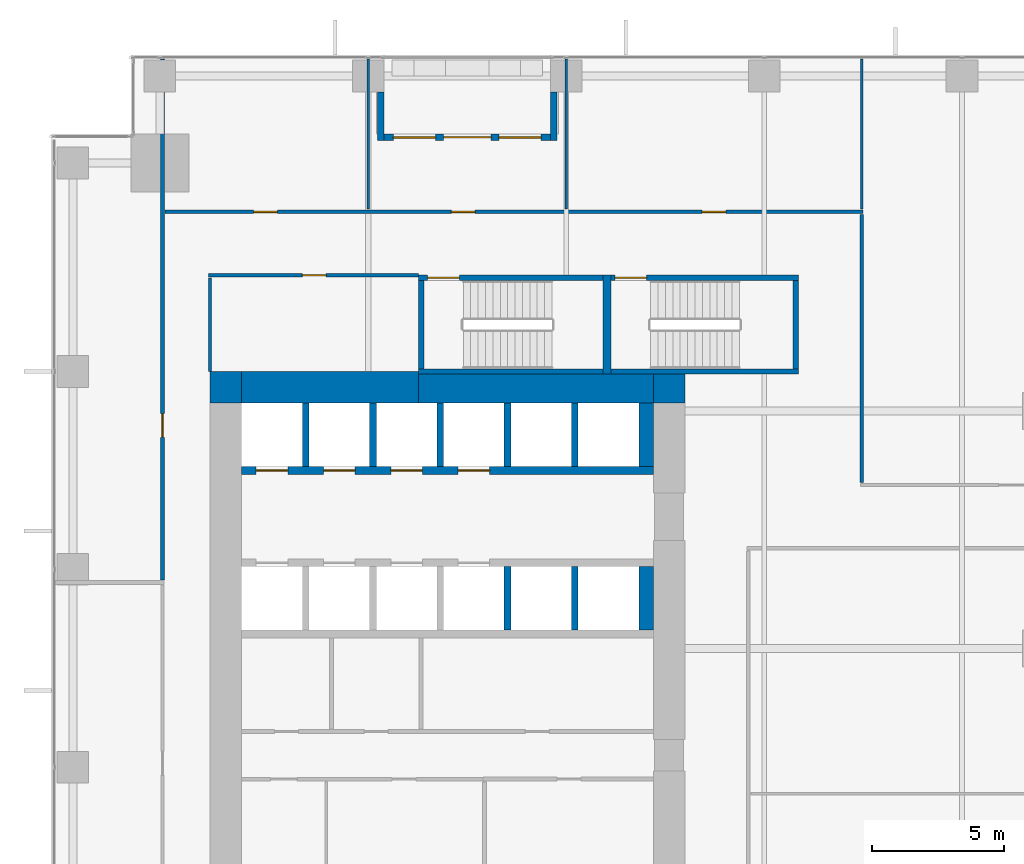
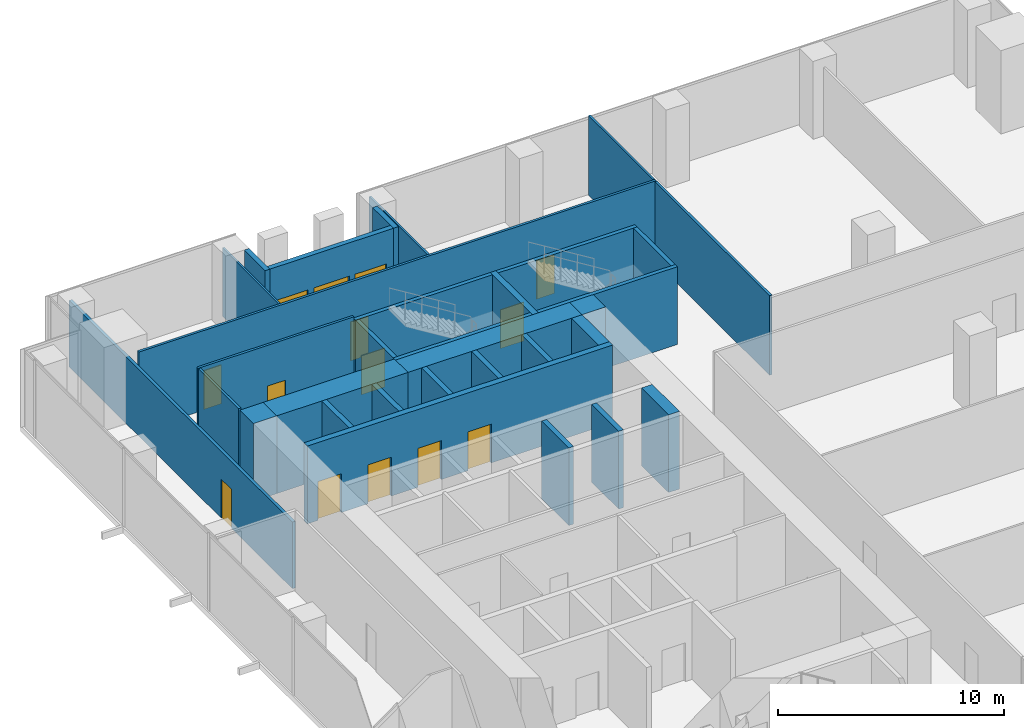
# One storey, part 28 of 32: 32 walls, 12 doors, 2 windows, 14 openings.
"""IFC4 building model written with IfcOpenShell, lengths in metres."""

import ifcopenshell
import ifcopenshell.guid

model = None  # the IFC model being written
_history = None  # IfcOwnerHistory: only IFC2X3 demands one
_inside = {}  # id of a spatial element -> (the spatial element, [elements in it])
_under = {}  # id of a project, library or spatial element -> (it, [spatial elements below it])
_declared = {}  # id of a project -> (the project, [libraries it declares])
_typed = {}  # id of a type object -> (the type object, [elements of that type])
_made_of = {}  # id of a material, layer set ... -> (it, [elements and type objects made of it])


def new_model(schema):
    """Start an empty IFC model of exactly this schema.

    Asked for "IFC4X3", IfcOpenShell would pick the latest addendum, in which some entities
    have other attributes; the version numbers below select the first issue.
    IFC2X3 requires an IfcOwnerHistory on every rooted entity: one is made here for all.
    """
    global model, _history
    if schema == "IFC4X3":
        model = ifcopenshell.file(schema_version=(4, 3, 0, 0))
    else:
        model = ifcopenshell.file(schema=schema)
    _inside.clear()
    _under.clear()
    _declared.clear()
    _typed.clear()
    _made_of.clear()
    _history = None
    if model.schema == "IFC2X3":
        org = make("IfcOrganization", Name="unknown")
        user = make(
            "IfcPersonAndOrganization",
            ThePerson=make("IfcPerson", FamilyName="unknown"),
            TheOrganization=org,
        )
        app = make(
            "IfcApplication",
            ApplicationDeveloper=org,
            Version="unknown",
            ApplicationFullName="unknown",
            ApplicationIdentifier="unknown",
        )
        _history = make(
            "IfcOwnerHistory",
            OwningUser=user,
            OwningApplication=app,
            ChangeAction="ADDED",
            CreationDate=0,
        )
    return model


def make(cls, **values):
    """One entity of the class cls with the attributes given. An attribute that is None is left unset."""
    return model.create_entity(
        cls, **{name: value for name, value in values.items() if value is not None}
    )


def rooted(cls, **values):
    """An entity with a GlobalId (a new one), such as an element, a storey or a relation."""
    return make(cls, GlobalId=ifcopenshell.guid.new(), OwnerHistory=_history, **values)


def si_unit(unit_type, name, prefix=None):
    """IfcSIUnit, for example si_unit("LENGTHUNIT", "METRE", prefix="MILLI")."""
    return make("IfcSIUnit", UnitType=unit_type, Prefix=prefix, Name=name)


def assignment(units):
    """IfcUnitAssignment: the units of a project."""
    return None if units is None else make("IfcUnitAssignment", Units=units)


def point(xyz):
    """IfcCartesianPoint."""
    return None if xyz is None else make("IfcCartesianPoint", Coordinates=xyz)


def direction(xyz):
    """IfcDirection."""
    return None if xyz is None else make("IfcDirection", DirectionRatios=xyz)


def frame(location, z_axis=None, x_axis=None):
    """IfcAxis2Placement3D, a coordinate frame: its origin and axes. An axis left out is left unset."""
    return make(
        "IfcAxis2Placement3D",
        Location=point(location),
        Axis=direction(z_axis),
        RefDirection=direction(x_axis),
    )


def frame_2d(location, x_axis=None):
    """IfcAxis2Placement2D, a coordinate frame in the plane: its origin and x axis."""
    return make(
        "IfcAxis2Placement2D", Location=point(location), RefDirection=direction(x_axis)
    )


def origin():
    """The frame at (0, 0, 0) with its axes left unset."""
    return frame((0.0, 0.0, 0.0))


def place(relative_to, where):
    """IfcLocalPlacement: puts the frame where relative to a parent placement (None: the world)."""
    return make(
        "IfcLocalPlacement", PlacementRelTo=relative_to, RelativePlacement=where
    )


def context(
    kind, dimensions, precision=None, world=None, true_north=None, identifier=None
):
    """IfcGeometricRepresentationContext, for example the 3D "Model" context."""
    return make(
        "IfcGeometricRepresentationContext",
        ContextIdentifier=identifier,
        ContextType=kind,
        CoordinateSpaceDimension=dimensions,
        Precision=precision,
        WorldCoordinateSystem=world,
        TrueNorth=true_north,
    )


def subcontext(parent, identifier, kind, view, scale=None):
    """IfcGeometricRepresentationSubContext, for example "Body" below "Model"."""
    return make(
        "IfcGeometricRepresentationSubContext",
        ContextIdentifier=identifier,
        ContextType=kind,
        ParentContext=parent,
        TargetScale=scale,
        TargetView=view,
    )


def project(units=None, contexts=None):
    """IfcProject with its units and contexts."""
    return rooted(
        "IfcProject",
        Name="project",
        RepresentationContexts=contexts,
        UnitsInContext=assignment(units),
    )


def spatial(cls, under=None, at=None, **own):
    """A site, building, storey or space (cls), placed at a placement, below another one or the project."""
    s = rooted(cls, ObjectPlacement=at, **own)
    if under is not None:
        _under.setdefault(under.id(), (under, []))[1].append(s)
    return s


def profile(cls, at=None, kind="AREA", **sizes):
    """A parametric profile (cls). Its sizes go by their IFC names, for example OverallWidth=200.0."""
    return make(cls, ProfileType=kind, Position=at, **sizes)


def rectangle(**sizes):
    """IfcRectangleProfileDef."""
    return profile("IfcRectangleProfileDef", **sizes)


def extrude(swept, where, along, depth):
    """IfcExtrudedAreaSolid: the profile swept, set in the frame where, extruded along a direction by depth."""
    return make(
        "IfcExtrudedAreaSolid",
        SweptArea=swept,
        Position=where,
        ExtrudedDirection=direction(along),
        Depth=depth,
    )


def shape(context_of_items, identifier, shape_type, items):
    """IfcShapeRepresentation: the items that make up one representation, for example the "Body"."""
    return make(
        "IfcShapeRepresentation",
        ContextOfItems=context_of_items,
        RepresentationIdentifier=identifier,
        RepresentationType=shape_type,
        Items=items,
    )


def source(mapping_origin, context_of_items, identifier, shape_type, items):
    """IfcRepresentationMap: a shape defined once, which mapped items show again and again."""
    return make(
        "IfcRepresentationMap",
        MappingOrigin=mapping_origin,
        MappedRepresentation=shape(context_of_items, identifier, shape_type, items),
    )


def transform(
    local_origin,
    x_axis=None,
    y_axis=None,
    z_axis=None,
    scale=None,
    scale2=None,
    scale3=None,
    uniform=True,
):
    """IfcCartesianTransformationOperator3D, or its non-uniform kind. x_axis, y_axis, z_axis: its Axis1, 2, 3."""
    if uniform:
        return make(
            "IfcCartesianTransformationOperator3D",
            Axis1=direction(x_axis),
            Axis2=direction(y_axis),
            LocalOrigin=point(local_origin),
            Scale=scale,
            Axis3=direction(z_axis),
        )
    return make(
        "IfcCartesianTransformationOperator3DnonUniform",
        Axis1=direction(x_axis),
        Axis2=direction(y_axis),
        LocalOrigin=point(local_origin),
        Scale=scale,
        Axis3=direction(z_axis),
        Scale2=scale2,
        Scale3=scale3,
    )


def mapped(mapping_source, mapping_target):
    """IfcMappedItem: shows the shape of a source again, moved by a transform."""
    return make(
        "IfcMappedItem", MappingSource=mapping_source, MappingTarget=mapping_target
    )


def material(Name=None, Category=None):
    """IfcMaterial."""
    return make("IfcMaterial", Name=Name, Category=Category)


def layer(
    of_material, thickness, ventilated=None, Name=None, Category=None, Priority=None
):
    """IfcMaterialLayer: one layer of a wall or slab, of a material (None: an air gap)."""
    return make(
        "IfcMaterialLayer",
        Material=of_material,
        LayerThickness=thickness,
        IsVentilated=ventilated,
        Name=Name,
        Category=Category,
        Priority=Priority,
    )


def layer_set(layers, Name=None):
    """IfcMaterialLayerSet."""
    return make("IfcMaterialLayerSet", MaterialLayers=layers, LayerSetName=Name)


def made_of(thing, what):
    """Note that an element or type object is made of a material, layer set ...; save() writes the relation."""
    if what is not None:
        _made_of.setdefault(what.id(), (what, []))[1].append(thing)
    return thing


def type_object(cls, material=None, **own):
    """A type object (cls), such as IfcWallType, which elements share."""
    return made_of(rooted(cls, **own), material)


def element(
    cls,
    number,
    at=None,
    inside=None,
    cuts=None,
    type_object=None,
    material=None,
    context=None,
    identifier="Body",
    shape_type=None,
    held_by="IfcProductDefinitionShape",
    body=None,
    shapes=None,
    **own,
):
    """One element of the class cls, such as IfcWall. Its Tag is "e" and its number.

    at: its placement. inside: the storey or other place that contains it. cuts: it is an
    opening in that element (IfcRelVoidsElement). A single representation is given by context,
    identifier, shape_type and body (its items); several are given by shapes. held_by: the class
    of the entity that holds the representations. save() writes the other relations.
    """
    e = rooted(cls, Tag="e%d" % number, ObjectPlacement=at, **own)
    if body is not None:
        shapes = [shape(context, identifier, shape_type, body)]
    if shapes is not None:
        e.Representation = make(held_by, Representations=shapes)
    if inside is not None:
        _inside.setdefault(inside.id(), (inside, []))[1].append(e)
    if cuts is not None:
        rooted(
            "IfcRelVoidsElement", RelatingBuildingElement=cuts, RelatedOpeningElement=e
        )
    if type_object is not None:
        _typed.setdefault(type_object.id(), (type_object, []))[1].append(e)
    return made_of(e, material)


def fill(opening, filler):
    """IfcRelFillsElement: the door or window that sits in an opening."""
    return rooted(
        "IfcRelFillsElement",
        RelatingOpeningElement=opening,
        RelatedBuildingElement=filler,
    )


def aggregate(whole, parts):
    """IfcRelAggregates: a whole, such as a stair, and the parts it consists of."""
    return rooted("IfcRelAggregates", RelatingObject=whole, RelatedObjects=parts)


def save(model, path):
    """Write the relations noted so far, then the file.

    IfcRelAggregates (storeys below a building ...), IfcRelContainedInSpatialStructure (elements
    in a storey), IfcRelDefinesByType, IfcRelAssociatesMaterial and IfcRelDeclares: one each for
    every whole, place, type object, material and project.
    """
    for whole, parts in _under.values():
        aggregate(whole, parts)
    for where, things in _inside.values():
        rooted(
            "IfcRelContainedInSpatialStructure",
            RelatedElements=things,
            RelatingStructure=where,
        )
    for kind, things in _typed.values():
        rooted("IfcRelDefinesByType", RelatedObjects=things, RelatingType=kind)
    for what, things in _made_of.values():
        rooted("IfcRelAssociatesMaterial", RelatedObjects=things, RelatingMaterial=what)
    for by, libraries in _declared.values():
        rooted("IfcRelDeclares", RelatingContext=by, RelatedDefinitions=libraries)
    model.write(path)


model = new_model("IFC4")

# Units and contexts
model_context = context("Model", 3, precision=1e-05, world=origin(), true_north=direction((0.0, 1.0)))
body_context = subcontext(model_context, "Body", "Model", "MODEL_VIEW")
ifc_project = project(units=[si_unit("LENGTHUNIT", "METRE"), si_unit("AREAUNIT", "SQUARE_METRE"), si_unit("VOLUMEUNIT", "CUBIC_METRE"), si_unit("PLANEANGLEUNIT", "RADIAN"), si_unit("MASSUNIT", "GRAM", prefix="KILO")], contexts=[model_context])

# Site, building, storey
site_placement = place(None, origin())
site = spatial("IfcSite", under=ifc_project, at=site_placement, CompositionType="ELEMENT")
building_placement = place(site_placement, origin())
building = spatial("IfcBuilding", under=site, at=building_placement, Name="Khomas Fold Tower", CompositionType="ELEMENT")
storey_placement = place(building_placement, frame((0.0, 0.0, 42.0)))
storey = spatial("IfcBuildingStorey", under=building, at=storey_placement, Name="L08", CompositionType="ELEMENT", Elevation=42.0)

# Walls
ifc_material_1 = material(Name="Concrete C70/85", Category="concrete")
ifc_layer_1 = layer(ifc_material_1, 1.199951171875)
ifc_layer_set_1 = layer_set([ifc_layer_1], Name="Concrete C70/85")
wall_type_1 = type_object("IfcWallType", Name="Core wall 1200", PredefinedType="SHEAR", material=ifc_layer_set_1)
shared_shape_1 = source(origin(), body_context, "Body", "SweptSolid", [
    extrude(rectangle(XDim=6.699951171875, YDim=1.199951171875, at=frame_2d((3.35009765625, 0.0))), origin(), (0.0, 0.0, 1.0), 4.199951171875),
])
wall_1_placement = place(storey_placement, frame((7.199951171875, 41.39990234375, 0.0), z_axis=(0.0, 0.0, 1.0), x_axis=(1.0, 0.0, 0.0)))
element("IfcWall", 1, at=wall_1_placement, inside=storey, type_object=wall_type_1, Name="Core wall CW-L-N-B2", PredefinedType="SHEAR", context=body_context, shape_type="MappedRepresentation", body=[
    mapped(shared_shape_1, transform((0.0, 0.0, 0.0))),
])
ifc_material_2 = material(Name="Concrete C70/85", Category="concrete")
ifc_layer_2 = layer(ifc_material_2, 1.10009765625)
ifc_layer_set_2 = layer_set([ifc_layer_2], Name="Concrete C70/85")
wall_type_2 = type_object("IfcWallType", Name="Core wall 1100", PredefinedType="SHEAR", material=ifc_layer_set_2)
shared_shape_2 = source(origin(), body_context, "Body", "SweptSolid", [
    extrude(rectangle(XDim=8.900146484375, YDim=1.10009765625, at=frame_2d((4.4501953125, 0.0))), origin(), (0.0, 0.0, 1.0), 4.199951171875),
])
wall_2_placement = place(storey_placement, frame((13.89990234375, 41.35009765625, 0.0), z_axis=(0.0, 0.0, 1.0), x_axis=(1.0, 0.0, 0.0)))
element("IfcWall", 2, at=wall_2_placement, inside=storey, type_object=wall_type_2, Name="Core wall CW-L-N-B2-1", PredefinedType="SHEAR", context=body_context, shape_type="MappedRepresentation", body=[
    mapped(shared_shape_2, transform((0.0, 0.0, 0.0))),
])
ifc_material_3 = material(Name="Concrete C70/85", Category="concrete")
ifc_layer_3 = layer(ifc_material_3, 1.10009765625)
ifc_layer_set_3 = layer_set([ifc_layer_3], Name="Concrete C70/85")
wall_type_3 = type_object("IfcWallType", Name="Core corner wall 1100", PredefinedType="SHEAR", material=ifc_layer_set_3)
shared_shape_3 = source(origin(), body_context, "Body", "SweptSolid", [
    extrude(rectangle(XDim=1.199951171875, YDim=1.10009765625, at=frame_2d((0.60009765625, 0.0))), origin(), (0.0, 0.0, 1.0), 4.199951171875),
])
wall_3_placement = place(storey_placement, frame((22.800048828125, 41.35009765625, 0.0), z_axis=(0.0, 0.0, 1.0), x_axis=(1.0, 0.0, 0.0)))
element("IfcWall", 3, at=wall_3_placement, inside=storey, type_object=wall_type_3, Name="Core wall CW-L-NE-B2", PredefinedType="SHEAR", context=body_context, shape_type="MappedRepresentation", body=[
    mapped(shared_shape_3, transform((0.0, 0.0, 0.0))),
])
ifc_material_4 = material(Name="Concrete C70/85", Category="concrete")
ifc_layer_4 = layer(ifc_material_4, 1.199951171875)
ifc_layer_set_4 = layer_set([ifc_layer_4], Name="Concrete C70/85")
wall_type_4 = type_object("IfcWallType", Name="Core corner wall 1200", PredefinedType="SHEAR", material=ifc_layer_set_4)
shared_shape_4 = source(origin(), body_context, "Body", "SweptSolid", [
    extrude(rectangle(XDim=1.199951171875, YDim=1.199951171875, at=frame_2d((0.60009765625, 0.0))), origin(), (0.0, 0.0, 1.0), 4.199951171875),
])
wall_4_placement = place(storey_placement, frame((6.0, 41.39990234375, 0.0), z_axis=(0.0, 0.0, 1.0), x_axis=(1.0, 0.0, 0.0)))
element("IfcWall", 4, at=wall_4_placement, inside=storey, type_object=wall_type_4, Name="Core wall CW-L-NW-B2", PredefinedType="SHEAR", context=body_context, shape_type="MappedRepresentation", body=[
    mapped(shared_shape_4, transform((0.0, 0.0, 0.0))),
])

# Wall, opening, door
ifc_material_5 = material(Name="Concrete C50/60", Category="concrete")
ifc_layer_5 = layer(ifc_material_5, 0.199951171875)
ifc_layer_set_5 = layer_set([ifc_layer_5], Name="Concrete C50/60")
wall_type_5 = type_object("IfcWallType", Name="Stair wall 200", PredefinedType="SHEAR", material=ifc_layer_set_5)
shared_shape_5 = source(origin(), body_context, "Body", "SweptSolid", [
    extrude(rectangle(XDim=7.0, YDim=0.199951171875, at=frame_2d((3.5, 0.0))), origin(), (0.0, 0.0, 1.0), 4.199951171875),
])
wall_5_placement = place(storey_placement, frame((13.89990234375, 45.550048828125, 0.0), z_axis=(0.0, 0.0, 1.0), x_axis=(1.0, 0.0, 0.0)))
wall_5 = element("IfcWall", 5, at=wall_5_placement, inside=storey, type_object=wall_type_5, Name="Stair wall SW-ST1-N", PredefinedType="SHEAR", context=body_context, shape_type="MappedRepresentation", body=[
    mapped(shared_shape_5, transform((0.0, 0.0, 0.0))),
])
shared_shape_6 = source(origin(), body_context, "Body", "SweptSolid", [
    extrude(rectangle(XDim=1.199951171875, YDim=2.10009765625, at=frame_2d((0.60009765625, 1.050048828125))), frame((0.0, 0.10986328125, 0.0), z_axis=(0.0, -1.0, 0.0), x_axis=(1.0, 0.0, 0.0)), (0.0, 0.0, 1.0), 0.219970703125),
])
opening_1_placement = place(wall_5_placement, frame((0.35009765625, 0.0, 0.0)))
opening_1 = element("IfcOpeningElement", 6, at=opening_1_placement, cuts=wall_5, Name="Opening SD-ST1", PredefinedType="OPENING", context=body_context, shape_type="MappedRepresentation", body=[
    mapped(shared_shape_6, transform((0.0, 0.0, 0.0))),
])
ifc_material_6 = material(Name="Steel door leaf", Category="steel")
door_type_1 = type_object("IfcDoorType", Name="Stair door 1200x2100 left-hand", OperationType="SINGLE_SWING_LEFT", PredefinedType="DOOR", material=ifc_material_6)
shared_shape_7 = source(origin(), body_context, "Body", "SweptSolid", [
    extrude(rectangle(XDim=1.199951171875, YDim=2.10009765625, at=frame_2d((0.60009765625, 1.050048828125))), frame((0.0, 0.02490234375, 0.0), z_axis=(0.0, -1.0, 0.0), x_axis=(1.0, 0.0, 0.0)), (0.0, 0.0, 1.0), 0.050048828125),
])
door_1_placement = place(opening_1_placement, origin())
door_1 = element("IfcDoor", 7, at=door_1_placement, inside=storey, type_object=door_type_1, Name="Stair door", OperationType="SINGLE_SWING_LEFT", OverallHeight=2.10009765625, OverallWidth=1.199951171875, PredefinedType="DOOR", context=body_context, shape_type="MappedRepresentation", body=[
    mapped(shared_shape_7, transform((0.0, 0.0, 0.0))),
])
fill(opening_1, door_1)

# Wall
wall_6_placement = place(storey_placement, frame((13.89990234375, 42.0, 0.0), z_axis=(0.0, 0.0, 1.0), x_axis=(1.0, 0.0, 0.0)))
element("IfcWall", 8, at=wall_6_placement, inside=storey, type_object=wall_type_5, Name="Stair wall SW-ST1-S", PredefinedType="SHEAR", context=body_context, shape_type="MappedRepresentation", body=[
    mapped(shared_shape_5, transform((0.0, 0.0, 0.0))),
])

# Wall, opening, door
shared_shape_8 = source(origin(), body_context, "Body", "SweptSolid", [
    extrude(rectangle(XDim=7.10009765625, YDim=0.199951171875, at=frame_2d((3.550048828125, 0.0))), origin(), (0.0, 0.0, 1.0), 4.199951171875),
])
wall_7_placement = place(storey_placement, frame((21.199951171875, 45.550048828125, 0.0), z_axis=(0.0, 0.0, 1.0), x_axis=(1.0, 0.0, 0.0)))
wall_7 = element("IfcWall", 9, at=wall_7_placement, inside=storey, type_object=wall_type_5, Name="Stair wall SW-ST3-N", PredefinedType="SHEAR", context=body_context, shape_type="MappedRepresentation", body=[
    mapped(shared_shape_8, transform((0.0, 0.0, 0.0))),
])
opening_2_placement = place(wall_7_placement, frame((0.14990234375, 0.0, 0.0)))
opening_2 = element("IfcOpeningElement", 10, at=opening_2_placement, cuts=wall_7, Name="Opening SD-ST3", PredefinedType="OPENING", context=body_context, shape_type="MappedRepresentation", body=[
    mapped(shared_shape_6, transform((0.0, 0.0, 0.0))),
])
door_2_placement = place(opening_2_placement, origin())
door_2 = element("IfcDoor", 11, at=door_2_placement, inside=storey, type_object=door_type_1, Name="Stair door", OperationType="SINGLE_SWING_LEFT", OverallHeight=2.10009765625, OverallWidth=1.199951171875, PredefinedType="DOOR", context=body_context, shape_type="MappedRepresentation", body=[
    mapped(shared_shape_7, transform((0.0, 0.0, 0.0))),
])
fill(opening_2, door_2)

# Walls
wall_8_placement = place(storey_placement, frame((21.199951171875, 42.0, 0.0), z_axis=(0.0, 0.0, 1.0), x_axis=(1.0, 0.0, 0.0)))
element("IfcWall", 12, at=wall_8_placement, inside=storey, type_object=wall_type_5, Name="Stair wall SW-ST3-S", PredefinedType="SHEAR", context=body_context, shape_type="MappedRepresentation", body=[
    mapped(shared_shape_8, transform((0.0, 0.0, 0.0))),
])
ifc_material_7 = material(Name="Concrete C50/60", Category="concrete")
ifc_layer_6 = layer(ifc_material_7, 0.300048828125)
ifc_layer_set_6 = layer_set([ifc_layer_6], Name="Concrete C50/60")
wall_type_6 = type_object("IfcWallType", Name="Stair wall 300", PredefinedType="SHEAR", material=ifc_layer_set_6)
shared_shape_9 = source(origin(), body_context, "Body", "SweptSolid", [
    extrude(rectangle(XDim=3.75, YDim=0.300048828125, at=frame_2d((1.875, 0.0))), origin(), (0.0, 0.0, 1.0), 4.199951171875),
])
wall_9_placement = place(storey_placement, frame((21.050048828125, 41.89990234375, 0.0), z_axis=(0.0, 0.0, 1.0), x_axis=(0.0, 1.0, 0.0)))
element("IfcWall", 13, at=wall_9_placement, inside=storey, type_object=wall_type_6, Name="Stair wall SW-ST1-E", PredefinedType="SHEAR", context=body_context, shape_type="MappedRepresentation", body=[
    mapped(shared_shape_9, transform((0.0, 0.0, 0.0))),
])
shared_shape_10 = source(origin(), body_context, "Body", "SweptSolid", [
    extrude(rectangle(XDim=3.349853515625, YDim=0.199951171875, at=frame_2d((1.6748046875, 0.0))), origin(), (0.0, 0.0, 1.0), 4.199951171875),
])
for number, where, z_axis, x_axis, name in (
    (14, (14.0, 42.10009765625, 0.0), (0.0, 0.0, 1.0), (0.0, 1.0, 0.0), "Stair wall SW-ST1-W"),
    (15, (28.199951171875, 42.10009765625, 0.0), (0.0, 0.0, 1.0), (0.0, 1.0, 0.0), "Stair wall SW-ST3-E"),
):
    element("IfcWall", number, at=place(storey_placement, frame(where, z_axis=z_axis, x_axis=x_axis)), inside=storey, type_object=wall_type_5, Name=name, PredefinedType="SHEAR", context=body_context, shape_type="MappedRepresentation", body=[
        mapped(shared_shape_10, transform((0.0, 0.0, 0.0))),
    ])

# Wall, openings, doors
ifc_material_8 = material(Name="Concrete C50/60", Category="concrete")
ifc_layer_7 = layer(ifc_material_8, 0.300048828125)
ifc_layer_set_7 = layer_set([ifc_layer_7], Name="Concrete C50/60")
wall_type_7 = type_object("IfcWallType", Name="Shaft wall 300", PredefinedType="STANDARD", material=ifc_layer_set_7)
shared_shape_11 = source(origin(), body_context, "Body", "SweptSolid", [
    extrude(rectangle(XDim=15.60009765625, YDim=0.300048828125, at=frame_2d((7.800048828125, 0.0))), origin(), (0.0, 0.0, 1.0), 4.199951171875),
])
wall_10_placement = place(storey_placement, frame((7.199951171875, 38.25, 0.0), z_axis=(0.0, 0.0, 1.0), x_axis=(1.0, 0.0, 0.0)))
wall_10 = element("IfcWall", 16, at=wall_10_placement, inside=storey, type_object=wall_type_7, Name="Core wall SW-LRN-F", PredefinedType="STANDARD", context=body_context, shape_type="MappedRepresentation", body=[
    mapped(shared_shape_11, transform((0.0, 0.0, 0.0))),
])
shared_shape_12 = source(origin(), body_context, "Body", "SweptSolid", [
    extrude(rectangle(XDim=1.199951171875, YDim=2.10009765625, at=frame_2d((0.60009765625, 1.050048828125))), frame((0.0, 0.159912109375, 0.0), z_axis=(0.0, -1.0, 0.0), x_axis=(1.0, 0.0, 0.0)), (0.0, 0.0, 1.0), 0.320068359375),
])
opening_3_placement = place(wall_10_placement, frame((0.550048828125, 0.0, 0.0)))
opening_3 = element("IfcOpeningElement", 17, at=opening_3_placement, cuts=wall_10, Name="Opening LD-LR5", PredefinedType="OPENING", context=body_context, shape_type="MappedRepresentation", body=[
    mapped(shared_shape_12, transform((0.0, 0.0, 0.0))),
])
opening_4_placement = place(wall_10_placement, frame((3.10009765625, 0.0, 0.0)))
opening_4 = element("IfcOpeningElement", 18, at=opening_4_placement, cuts=wall_10, Name="Opening LD-LR6", PredefinedType="OPENING", context=body_context, shape_type="MappedRepresentation", body=[
    mapped(shared_shape_12, transform((0.0, 0.0, 0.0))),
])
opening_5_placement = place(wall_10_placement, frame((5.64990234375, 0.0, 0.0)))
opening_5 = element("IfcOpeningElement", 19, at=opening_5_placement, cuts=wall_10, Name="Opening LD-LR7", PredefinedType="OPENING", context=body_context, shape_type="MappedRepresentation", body=[
    mapped(shared_shape_12, transform((0.0, 0.0, 0.0))),
])
opening_6_placement = place(wall_10_placement, frame((8.199951171875, 0.0, 0.0)))
opening_6 = element("IfcOpeningElement", 20, at=opening_6_placement, cuts=wall_10, Name="Opening LD-LR8", PredefinedType="OPENING", context=body_context, shape_type="MappedRepresentation", body=[
    mapped(shared_shape_12, transform((0.0, 0.0, 0.0))),
])
ifc_material_9 = material(Name="Steel door leaf", Category="steel")
door_type_2 = type_object("IfcDoorType", Name="Landing door 1200x2100", OperationType="DOUBLE_DOOR_SLIDING", PredefinedType="DOOR", material=ifc_material_9)
door_3_placement = place(opening_3_placement, origin())
door_3 = element("IfcDoor", 21, at=door_3_placement, inside=storey, type_object=door_type_2, Name="Lift landing door", OperationType="DOUBLE_DOOR_SLIDING", OverallHeight=2.10009765625, OverallWidth=1.199951171875, PredefinedType="DOOR", context=body_context, shape_type="MappedRepresentation", body=[
    mapped(shared_shape_7, transform((0.0, 0.0, 0.0))),
])
fill(opening_3, door_3)
door_4_placement = place(opening_4_placement, origin())
door_4 = element("IfcDoor", 22, at=door_4_placement, inside=storey, type_object=door_type_2, Name="Lift landing door", OperationType="DOUBLE_DOOR_SLIDING", OverallHeight=2.10009765625, OverallWidth=1.199951171875, PredefinedType="DOOR", context=body_context, shape_type="MappedRepresentation", body=[
    mapped(shared_shape_7, transform((0.0, 0.0, 0.0))),
])
fill(opening_4, door_4)
door_5_placement = place(opening_5_placement, origin())
door_5 = element("IfcDoor", 23, at=door_5_placement, inside=storey, type_object=door_type_2, Name="Lift landing door", OperationType="DOUBLE_DOOR_SLIDING", OverallHeight=2.10009765625, OverallWidth=1.199951171875, PredefinedType="DOOR", context=body_context, shape_type="MappedRepresentation", body=[
    mapped(shared_shape_7, transform((0.0, 0.0, 0.0))),
])
fill(opening_5, door_5)
door_6_placement = place(opening_6_placement, origin())
door_6 = element("IfcDoor", 24, at=door_6_placement, inside=storey, type_object=door_type_2, Name="Lift landing door", OperationType="DOUBLE_DOOR_SLIDING", OverallHeight=2.10009765625, OverallWidth=1.199951171875, PredefinedType="DOOR", context=body_context, shape_type="MappedRepresentation", body=[
    mapped(shared_shape_7, transform((0.0, 0.0, 0.0))),
])
fill(opening_6, door_6)

# Walls
ifc_material_10 = material(Name="Concrete C50/60", Category="concrete")
ifc_layer_8 = layer(ifc_material_10, 0.25)
ifc_layer_set_8 = layer_set([ifc_layer_8], Name="Concrete C50/60")
wall_type_8 = type_object("IfcWallType", Name="Shaft wall 250", PredefinedType="STANDARD", material=ifc_layer_set_8)
shared_shape_13 = source(origin(), body_context, "Body", "SweptSolid", [
    extrude(rectangle(XDim=2.400146484375, YDim=0.25, at=frame_2d((1.2001953125, 0.0))), origin(), (0.0, 0.0, 1.0), 4.199951171875),
])
for number, where, z_axis, x_axis, name in (
    (25, (9.625, 38.39990234375, 0.0), (0.0, 0.0, 1.0), (0.0, 1.0, 0.0), "Core wall SW-LRN-P1"),
    (26, (12.175048828125, 38.39990234375, 0.0), (0.0, 0.0, 1.0), (0.0, 1.0, 0.0), "Core wall SW-LRN-P2"),
    (27, (14.72509765625, 38.39990234375, 0.0), (0.0, 0.0, 1.0), (0.0, 1.0, 0.0), "Core wall SW-LRN-P3"),
    (28, (17.27490234375, 38.39990234375, 0.0), (0.0, 0.0, 1.0), (0.0, 1.0, 0.0), "Core wall SW-LRN-P4"),
    (29, (19.824951171875, 38.39990234375, 0.0), (0.0, 0.0, 1.0), (0.0, 1.0, 0.0), "Core wall SW-LRN-P5"),
    (30, (17.27490234375, 32.199951171875, 0.0), (0.0, 0.0, 1.0), (0.0, 1.0, 0.0), "Core wall SW-LRS-P4"),
    (31, (19.824951171875, 32.199951171875, 0.0), (0.0, 0.0, 1.0), (0.0, 1.0, 0.0), "Core wall SW-LRS-P5"),
):
    element("IfcWall", number, at=place(storey_placement, frame(where, z_axis=z_axis, x_axis=x_axis)), inside=storey, type_object=wall_type_8, Name=name, PredefinedType="STANDARD", context=body_context, shape_type="MappedRepresentation", body=[
        mapped(shared_shape_13, transform((0.0, 0.0, 0.0))),
    ])
ifc_material_11 = material(Name="Concrete C50/60", Category="concrete")
ifc_layer_9 = layer(ifc_material_11, 0.550048828125)
ifc_layer_set_9 = layer_set([ifc_layer_9], Name="Concrete C50/60")
wall_type_9 = type_object("IfcWallType", Name="Shaft wall 550", PredefinedType="STANDARD", material=ifc_layer_set_9)
shared_shape_14 = source(origin(), body_context, "Body", "SweptSolid", [
    extrude(rectangle(XDim=2.400146484375, YDim=0.550048828125, at=frame_2d((1.2001953125, 0.0))), origin(), (0.0, 0.0, 1.0), 4.199951171875),
])
for number, where, z_axis, x_axis, name in (
    (32, (22.52490234375, 38.39990234375, 0.0), (0.0, 0.0, 1.0), (0.0, 1.0, 0.0), "Core wall SW-LRN-PE"),
    (33, (22.52490234375, 32.199951171875, 0.0), (0.0, 0.0, 1.0), (0.0, 1.0, 0.0), "Core wall SW-LRS-PE"),
):
    element("IfcWall", number, at=place(storey_placement, frame(where, z_axis=z_axis, x_axis=x_axis)), inside=storey, type_object=wall_type_9, Name=name, PredefinedType="STANDARD", context=body_context, shape_type="MappedRepresentation", body=[
        mapped(shared_shape_14, transform((0.0, 0.0, 0.0))),
    ])

# Wall, openings, windows, door
ifc_material_12 = material(Name="Natural stone", Category="masonry")
ifc_layer_10 = layer(ifc_material_12, 0.0400390625)
ifc_material_13 = material(Name="Mineral wool insulation", Category="insulation")
ifc_layer_11 = layer(ifc_material_13, 0.10009765625)
ifc_material_14 = material(Name="Masonry", Category="masonry")
ifc_layer_12 = layer(ifc_material_14, 0.110107421875)
ifc_layer_set_10 = layer_set([ifc_layer_10, ifc_layer_11, ifc_layer_12], Name="Stone-faced insulated masonry")
wall_type_10 = type_object("IfcWallType", Name="BL-Balcony wall", PredefinedType="SOLIDWALL", material=ifc_layer_set_10)
shared_shape_15 = source(origin(), body_context, "Body", "SweptSolid", [
    extrude(rectangle(XDim=6.2998046875, YDim=0.25, at=frame_2d((3.14990234375, 0.0))), origin(), (0.0, 0.0, 1.0), 4.199951171875),
])
wall_11_placement = place(storey_placement, frame((12.60009765625, 50.875, 0.0), z_axis=(0.0, 0.0, 1.0), x_axis=(1.0, 0.0, 0.0)))
wall_11 = element("IfcWall", 34, at=wall_11_placement, inside=storey, type_object=wall_type_10, Name="Balcony wall BAL-L08-N1", PredefinedType="SOLIDWALL", context=body_context, shape_type="MappedRepresentation", body=[
    mapped(shared_shape_15, transform((0.0, 0.0, 0.0))),
])
shared_shape_16 = source(origin(), body_context, "Body", "SweptSolid", [
    extrude(rectangle(XDim=1.60009765625, YDim=2.39990234375, at=frame_2d((0.800048828125, 1.199951171875))), frame((0.0, 0.135009765625, 0.0), z_axis=(0.0, -1.0, 0.0), x_axis=(1.0, 0.0, 0.0)), (0.0, 0.0, 1.0), 0.27001953125),
])
opening_7_placement = place(wall_11_placement, frame((0.35009765625, 0.0, 0.0)))
opening_7 = element("IfcOpeningElement", 35, at=opening_7_placement, cuts=wall_11, Name="Opening BL-W1", PredefinedType="OPENING", context=body_context, shape_type="MappedRepresentation", body=[
    mapped(shared_shape_16, transform((0.0, 0.0, 0.0))),
])
opening_8_placement = place(wall_11_placement, frame((4.35009765625, 0.0, 0.0)))
opening_8 = element("IfcOpeningElement", 36, at=opening_8_placement, cuts=wall_11, Name="Opening BL-W1", PredefinedType="OPENING", context=body_context, shape_type="MappedRepresentation", body=[
    mapped(shared_shape_16, transform((0.0, 0.0, 0.0))),
])
shared_shape_17 = source(origin(), body_context, "Body", "SweptSolid", [
    extrude(rectangle(XDim=1.800048828125, YDim=2.39990234375, at=frame_2d((0.89990234375, 1.199951171875))), frame((0.0, 0.135009765625, 0.0), z_axis=(0.0, -1.0, 0.0), x_axis=(1.0, 0.0, 0.0)), (0.0, 0.0, 1.0), 0.27001953125),
])
opening_9_placement = place(wall_11_placement, frame((2.25, 0.0, 0.0)))
opening_9 = element("IfcOpeningElement", 37, at=opening_9_placement, cuts=wall_11, Name="Opening BD081", PredefinedType="OPENING", context=body_context, shape_type="MappedRepresentation", body=[
    mapped(shared_shape_17, transform((0.0, 0.0, 0.0))),
])
ifc_material_15 = material(Name="Aluminium framed double glazing", Category="aluminium")
window_type = type_object("IfcWindowType", Name="BL-Fixed glazing 1600 x 2400", PartitioningType="SINGLE_PANEL", PredefinedType="WINDOW", material=ifc_material_15)
shared_shape_18 = source(origin(), body_context, "Body", "SweptSolid", [
    extrude(rectangle(XDim=1.60009765625, YDim=2.39990234375, at=frame_2d((0.800048828125, 1.199951171875))), frame((0.0, 0.030029296875, 0.0), z_axis=(0.0, -1.0, 0.0), x_axis=(1.0, 0.0, 0.0)), (0.0, 0.0, 1.0), 0.06005859375),
])
window_1_placement = place(opening_7_placement, origin())
window_1 = element("IfcWindow", 38, at=window_1_placement, inside=storey, type_object=window_type, Name="Balcony glazing BAL-L08-N1-1", OverallHeight=2.39990234375, OverallWidth=1.60009765625, PartitioningType="SINGLE_PANEL", PredefinedType="WINDOW", context=body_context, shape_type="MappedRepresentation", body=[
    mapped(shared_shape_18, transform((0.0, 0.0, 0.0))),
])
fill(opening_7, window_1)
window_2_placement = place(opening_8_placement, origin())
window_2 = element("IfcWindow", 39, at=window_2_placement, inside=storey, type_object=window_type, Name="Balcony glazing BAL-L08-N1-2", OverallHeight=2.39990234375, OverallWidth=1.60009765625, PartitioningType="SINGLE_PANEL", PredefinedType="WINDOW", context=body_context, shape_type="MappedRepresentation", body=[
    mapped(shared_shape_18, transform((0.0, 0.0, 0.0))),
])
fill(opening_8, window_2)
ifc_material_16 = material(Name="Aluminium framed double glazing", Category="aluminium")
door_type_3 = type_object("IfcDoorType", Name="BL-Glazed balcony door 1800 x 2400", OperationType="DOUBLE_DOOR_DOUBLE_SWING", PredefinedType="DOOR", material=ifc_material_16)
shared_shape_19 = source(origin(), body_context, "Body", "SweptSolid", [
    extrude(rectangle(XDim=1.800048828125, YDim=2.39990234375, at=frame_2d((0.89990234375, 1.199951171875))), frame((0.0, 0.02490234375, 0.0), z_axis=(0.0, -1.0, 0.0), x_axis=(1.0, 0.0, 0.0)), (0.0, 0.0, 1.0), 0.050048828125),
])
door_7_placement = place(opening_9_placement, origin())
door_7 = element("IfcDoor", 40, at=door_7_placement, inside=storey, type_object=door_type_3, Name="Balcony door BD081", OperationType="DOUBLE_DOOR_DOUBLE_SWING", OverallHeight=2.39990234375, OverallWidth=1.800048828125, PredefinedType="DOOR", context=body_context, shape_type="MappedRepresentation", body=[
    mapped(shared_shape_19, transform((0.0, 0.0, 0.0))),
])
fill(opening_9, door_7)

# Walls
shared_shape_20 = source(origin(), body_context, "Body", "SweptSolid", [
    extrude(rectangle(XDim=1.85009765625, YDim=0.25, at=frame_2d((0.925048828125, 0.0))), origin(), (0.0, 0.0, 1.0), 4.199951171875),
])
for number, where, z_axis, x_axis, name in (
    (41, (12.47509765625, 52.60009765625, 0.0), (0.0, 0.0, 1.0), (0.0, -1.0, 0.0), "Balcony return wall BAL-L08-N1-lo"),
    (42, (19.02490234375, 52.60009765625, 0.0), (0.0, 0.0, 1.0), (0.0, -1.0, 0.0), "Balcony return wall BAL-L08-N1-hi"),
):
    element("IfcWall", number, at=place(storey_placement, frame(where, z_axis=z_axis, x_axis=x_axis)), inside=storey, type_object=wall_type_10, Name=name, PredefinedType="SOLIDWALL", context=body_context, shape_type="MappedRepresentation", body=[
        mapped(shared_shape_20, transform((0.0, 0.0, 0.0))),
    ])

# Wall, opening, door
ifc_material_17 = material(Name="Plasterboard fire partition")
ifc_layer_13 = layer(ifc_material_17, 0.14990234375)
ifc_layer_set_11 = layer_set([ifc_layer_13], Name="Plasterboard fire partition")
wall_type_11 = type_object("IfcWallType", Name="Plant room wall PW3 150", PredefinedType="PARTITIONING", material=ifc_layer_set_11)
shared_shape_21 = source(origin(), body_context, "Body", "SweptSolid", [
    extrude(rectangle(XDim=19.75, YDim=0.14990234375, at=frame_2d((9.875, 0.0))), origin(), (0.0, 0.0, 1.0), 3.60009765625),
])
wall_12_placement = place(storey_placement, frame((4.199951171875, 34.10009765625, 0.0), z_axis=(0.0, 0.0, 1.0), x_axis=(0.0, 1.0, 0.0)))
wall_12 = element("IfcWall", 43, at=wall_12_placement, inside=storey, type_object=wall_type_11, Name="Plant room wall", PredefinedType="PARTITIONING", context=body_context, shape_type="MappedRepresentation", body=[
    mapped(shared_shape_21, transform((0.0, 0.0, 0.0))),
])
shared_shape_22 = source(origin(), body_context, "Body", "SweptSolid", [
    extrude(rectangle(XDim=0.89990234375, YDim=2.10009765625, at=frame_2d((0.449951171875, 1.050048828125))), frame((0.0, 0.0849609375, 0.0), z_axis=(0.0, -1.0, 0.0), x_axis=(1.0, 0.0, 0.0)), (0.0, 0.0, 1.0), 0.169921875),
])
opening_10_placement = place(wall_12_placement, frame((5.39990234375, 0.0, 0.0)))
opening_10 = element("IfcOpeningElement", 44, at=opening_10_placement, cuts=wall_12, Name="Opening 0002", PredefinedType="OPENING", context=body_context, shape_type="MappedRepresentation", body=[
    mapped(shared_shape_22, transform((0.0, 0.0, 0.0))),
])
ifc_material_18 = material(Name="Steel door leaf", Category="steel")
door_type_4 = type_object("IfcDoorType", Name="Plant room door 900x2100 left-hand", OperationType="SINGLE_SWING_LEFT", PredefinedType="DOOR", material=ifc_material_18)
shared_shape_23 = source(origin(), body_context, "Body", "SweptSolid", [
    extrude(rectangle(XDim=0.89990234375, YDim=2.10009765625, at=frame_2d((0.449951171875, 1.050048828125))), frame((0.0, 0.02490234375, 0.0), z_axis=(0.0, -1.0, 0.0), x_axis=(1.0, 0.0, 0.0)), (0.0, 0.0, 1.0), 0.050048828125),
])
door_8_placement = place(opening_10_placement, origin())
door_8 = element("IfcDoor", 45, at=door_8_placement, inside=storey, type_object=door_type_4, Name="Plant room door", OperationType="SINGLE_SWING_LEFT", OverallHeight=2.10009765625, OverallWidth=0.89990234375, PredefinedType="DOOR", context=body_context, shape_type="MappedRepresentation", body=[
    mapped(shared_shape_23, transform((0.0, 0.0, 0.0))),
])
fill(opening_10, door_8)

# Walls
ifc_material_19 = material(Name="Plasterboard partition")
ifc_layer_14 = layer(ifc_material_19, 0.125)
ifc_layer_set_12 = layer_set([ifc_layer_14], Name="Plasterboard partition")
wall_type_12 = type_object("IfcWallType", Name="Partition PW2 125", PredefinedType="PARTITIONING", material=ifc_layer_set_12)
shared_shape_24 = source(origin(), body_context, "Body", "SweptSolid", [
    extrude(rectangle(XDim=10.14990234375, YDim=0.125, at=frame_2d((5.074951171875, 0.0))), origin(), (0.0, 0.0, 1.0), 4.300048828125),
])
wall_13_placement = place(storey_placement, frame((30.699951171875, 37.800048828125, 0.0), z_axis=(0.0, 0.0, 1.0), x_axis=(0.0, 1.0, 0.0)))
element("IfcWall", 46, at=wall_13_placement, inside=storey, type_object=wall_type_12, Name="Partition", PredefinedType="PARTITIONING", context=body_context, shape_type="MappedRepresentation", body=[
    mapped(shared_shape_24, transform((0.0, 0.0, 0.0))),
])
shared_shape_25 = source(origin(), body_context, "Body", "SweptSolid", [
    extrude(rectangle(XDim=3.550048828125, YDim=0.125, at=frame_2d((1.77490234375, 0.0))), origin(), (0.0, 0.0, 1.0), 4.300048828125),
])
wall_14_placement = place(storey_placement, frame((6.0, 42.0, 0.0), z_axis=(0.0, 0.0, 1.0), x_axis=(0.0, 1.0, 0.0)))
element("IfcWall", 47, at=wall_14_placement, inside=storey, type_object=wall_type_12, Name="Partition", PredefinedType="PARTITIONING", context=body_context, shape_type="MappedRepresentation", body=[
    mapped(shared_shape_25, transform((0.0, 0.0, 0.0))),
])

# Wall, opening, door
shared_shape_26 = source(origin(), body_context, "Body", "SweptSolid", [
    extrude(rectangle(XDim=7.949951171875, YDim=0.125, at=frame_2d((3.97509765625, 0.0))), origin(), (0.0, 0.0, 1.0), 4.300048828125),
])
wall_15_placement = place(storey_placement, frame((5.949951171875, 45.64990234375, 0.0), z_axis=(0.0, 0.0, 1.0), x_axis=(1.0, 0.0, 0.0)))
wall_15 = element("IfcWall", 48, at=wall_15_placement, inside=storey, type_object=wall_type_12, Name="Partition", PredefinedType="PARTITIONING", context=body_context, shape_type="MappedRepresentation", body=[
    mapped(shared_shape_26, transform((0.0, 0.0, 0.0))),
])
shared_shape_27 = source(origin(), body_context, "Body", "SweptSolid", [
    extrude(rectangle(XDim=0.89990234375, YDim=2.10009765625, at=frame_2d((0.449951171875, 1.050048828125))), frame((0.0, 0.072509765625, 0.0), z_axis=(0.0, -1.0, 0.0), x_axis=(1.0, 0.0, 0.0)), (0.0, 0.0, 1.0), 0.14501953125),
])
opening_11_placement = place(wall_15_placement, frame((3.550048828125, 0.0, 0.0)))
opening_11 = element("IfcOpeningElement", 49, at=opening_11_placement, cuts=wall_15, Name="Opening 0008", PredefinedType="OPENING", context=body_context, shape_type="MappedRepresentation", body=[
    mapped(shared_shape_27, transform((0.0, 0.0, 0.0))),
])
ifc_material_20 = material(Name="Timber door leaf", Category="wood")
door_type_5 = type_object("IfcDoorType", Name="Door 900x2100 right-hand", OperationType="SINGLE_SWING_RIGHT", PredefinedType="DOOR", material=ifc_material_20)
door_9_placement = place(opening_11_placement, origin())
door_9 = element("IfcDoor", 50, at=door_9_placement, inside=storey, type_object=door_type_5, Name="Door", OperationType="SINGLE_SWING_RIGHT", OverallHeight=2.10009765625, OverallWidth=0.89990234375, PredefinedType="DOOR", context=body_context, shape_type="MappedRepresentation", body=[
    mapped(shared_shape_23, transform((0.0, 0.0, 0.0))),
])
fill(opening_11, door_9)

# Wall, openings, doors
shared_shape_28 = source(origin(), body_context, "Body", "SweptSolid", [
    extrude(rectangle(XDim=26.449951171875, YDim=0.125, at=frame_2d((13.22509765625, 0.0))), origin(), (0.0, 0.0, 1.0), 4.300048828125),
])
wall_16_placement = place(storey_placement, frame((4.300048828125, 48.050048828125, 0.0), z_axis=(0.0, 0.0, 1.0), x_axis=(1.0, 0.0, 0.0)))
wall_16 = element("IfcWall", 51, at=wall_16_placement, inside=storey, type_object=wall_type_12, Name="Partition", PredefinedType="PARTITIONING", context=body_context, shape_type="MappedRepresentation", body=[
    mapped(shared_shape_28, transform((0.0, 0.0, 0.0))),
])
opening_12_placement = place(wall_16_placement, frame((3.35009765625, 0.0, 0.0)))
opening_12 = element("IfcOpeningElement", 52, at=opening_12_placement, cuts=wall_16, Name="Opening 0008", PredefinedType="OPENING", context=body_context, shape_type="MappedRepresentation", body=[
    mapped(shared_shape_27, transform((0.0, 0.0, 0.0))),
])
opening_13_placement = place(wall_16_placement, frame((10.85009765625, 0.0, 0.0)))
opening_13 = element("IfcOpeningElement", 53, at=opening_13_placement, cuts=wall_16, Name="Opening 0008", PredefinedType="OPENING", context=body_context, shape_type="MappedRepresentation", body=[
    mapped(shared_shape_27, transform((0.0, 0.0, 0.0))),
])
opening_14_placement = place(wall_16_placement, frame((20.35009765625, 0.0, 0.0)))
opening_14 = element("IfcOpeningElement", 54, at=opening_14_placement, cuts=wall_16, Name="Opening 0008", PredefinedType="OPENING", context=body_context, shape_type="MappedRepresentation", body=[
    mapped(shared_shape_27, transform((0.0, 0.0, 0.0))),
])
door_10_placement = place(opening_12_placement, origin())
door_10 = element("IfcDoor", 55, at=door_10_placement, inside=storey, type_object=door_type_5, Name="Door", OperationType="SINGLE_SWING_RIGHT", OverallHeight=2.10009765625, OverallWidth=0.89990234375, PredefinedType="DOOR", context=body_context, shape_type="MappedRepresentation", body=[
    mapped(shared_shape_23, transform((0.0, 0.0, 0.0))),
])
fill(opening_12, door_10)
door_11_placement = place(opening_13_placement, origin())
door_11 = element("IfcDoor", 56, at=door_11_placement, inside=storey, type_object=door_type_5, Name="Door", OperationType="SINGLE_SWING_RIGHT", OverallHeight=2.10009765625, OverallWidth=0.89990234375, PredefinedType="DOOR", context=body_context, shape_type="MappedRepresentation", body=[
    mapped(shared_shape_23, transform((0.0, 0.0, 0.0))),
])
fill(opening_13, door_11)
door_12_placement = place(opening_14_placement, origin())
door_12 = element("IfcDoor", 57, at=door_12_placement, inside=storey, type_object=door_type_5, Name="Door", OperationType="SINGLE_SWING_RIGHT", OverallHeight=2.10009765625, OverallWidth=0.89990234375, PredefinedType="DOOR", context=body_context, shape_type="MappedRepresentation", body=[
    mapped(shared_shape_23, transform((0.0, 0.0, 0.0))),
])
fill(opening_14, door_12)

# Walls
ifc_material_21 = material(Name="Plasterboard partition")
ifc_layer_15 = layer(ifc_material_21, 0.10009765625)
ifc_layer_set_13 = layer_set([ifc_layer_15], Name="Plasterboard partition")
wall_type_13 = type_object("IfcWallType", Name="Partition PW1 100", PredefinedType="PARTITIONING", material=ifc_layer_set_13)
shared_shape_29 = source(origin(), body_context, "Body", "SweptSolid", [
    extrude(rectangle(XDim=5.7001953125, YDim=0.10009765625, at=frame_2d((2.85009765625, 0.0))), origin(), (0.0, 0.0, 1.0), 3.699951171875),
])
wall_17_placement = place(storey_placement, frame((12.0, 48.14990234375, 0.0), z_axis=(0.0, 0.0, 1.0), x_axis=(0.0, 1.0, 0.0)))
element("IfcWall", 58, at=wall_17_placement, inside=storey, type_object=wall_type_13, Name="Partition", PredefinedType="PARTITIONING", context=body_context, shape_type="MappedRepresentation", body=[
    mapped(shared_shape_29, transform((0.0, 0.0, 0.0))),
])
shared_shape_30 = source(origin(), body_context, "Body", "SweptSolid", [
    extrude(rectangle(XDim=5.7001953125, YDim=0.10009765625, at=frame_2d((2.85009765625, 0.0))), origin(), (0.0, 0.0, 1.0), 3.840087890625),
])
wall_18_placement = place(storey_placement, frame((19.5, 48.14990234375, 0.0), z_axis=(0.0, 0.0, 1.0), x_axis=(0.0, 1.0, 0.0)))
element("IfcWall", 59, at=wall_18_placement, inside=storey, type_object=wall_type_13, Name="Partition", PredefinedType="PARTITIONING", context=body_context, shape_type="MappedRepresentation", body=[
    mapped(shared_shape_30, transform((0.0, 0.0, 0.0))),
])
shared_shape_31 = source(origin(), body_context, "Body", "SweptSolid", [
    extrude(rectangle(XDim=5.7001953125, YDim=0.10009765625, at=frame_2d((2.85009765625, 0.0))), origin(), (0.0, 0.0, 1.0), 4.300048828125),
])
wall_19_placement = place(storey_placement, frame((30.699951171875, 48.14990234375, 0.0), z_axis=(0.0, 0.0, 1.0), x_axis=(0.0, 1.0, 0.0)))
element("IfcWall", 60, at=wall_19_placement, inside=storey, type_object=wall_type_13, Name="Partition", PredefinedType="PARTITIONING", context=body_context, shape_type="MappedRepresentation", body=[
    mapped(shared_shape_31, transform((0.0, 0.0, 0.0))),
])

save(model, "model.ifc")
